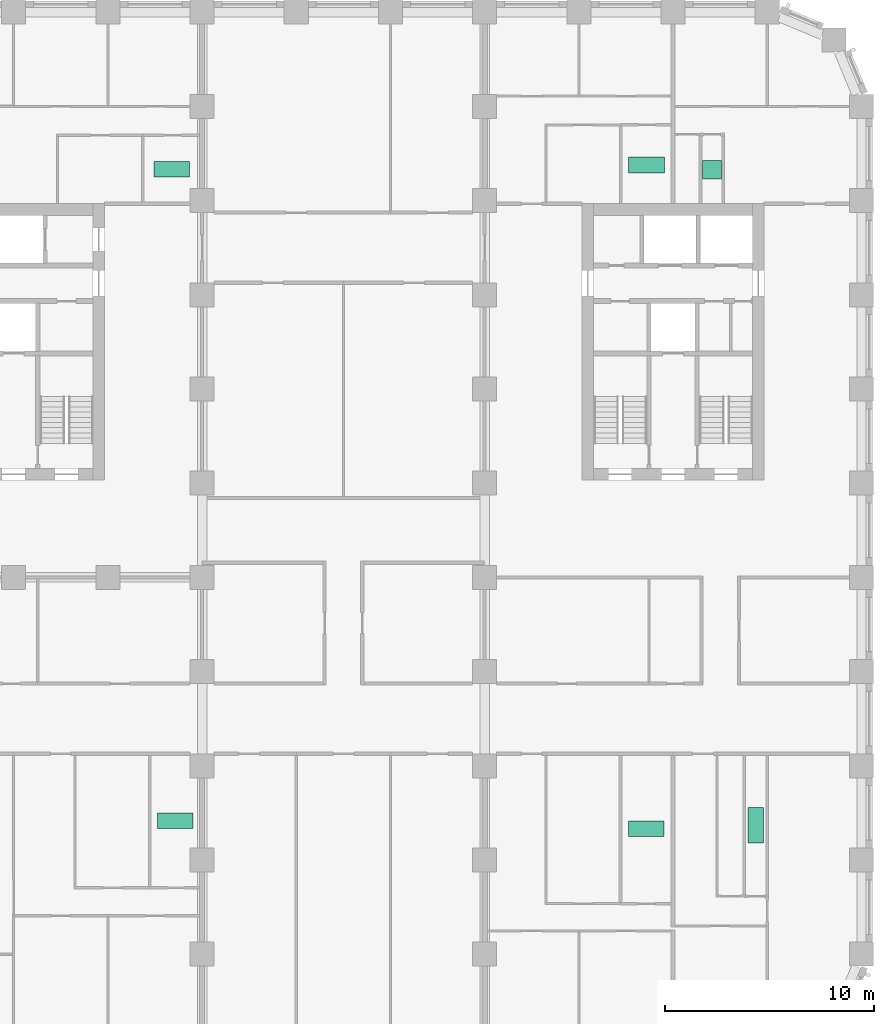
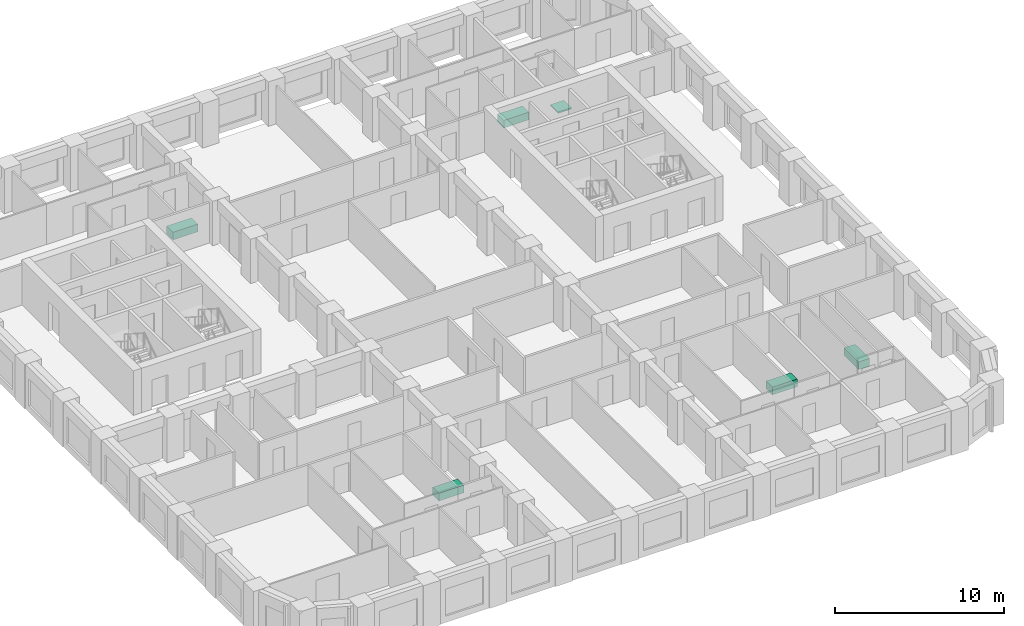
# One storey, part 12 of 12: 6 sanitary terminals.
"""IFC4 building model written with IfcOpenShell, lengths in metres."""

from ifc_helpers import new_model, si_unit, direction, frame, origin, origin_2d, place, context, subcontext, project, spatial, rectangle, extrude, material, type_object, element, save


model = new_model("IFC4")

# Units and contexts
model_context = context("Model", 3, precision=1e-05, world=origin(), true_north=direction((0.0, 1.0)))
body_context = subcontext(model_context, "Body", "Model", "MODEL_VIEW")
ifc_project = project(units=[si_unit("LENGTHUNIT", "METRE"), si_unit("AREAUNIT", "SQUARE_METRE"), si_unit("VOLUMEUNIT", "CUBIC_METRE"), si_unit("PLANEANGLEUNIT", "RADIAN"), si_unit("MASSUNIT", "GRAM", prefix="KILO")], contexts=[model_context])

# Site, building, storey
site_placement = place(None, origin())
site = spatial("IfcSite", under=ifc_project, at=site_placement, CompositionType="ELEMENT")
building_placement = place(site_placement, origin())
building = spatial("IfcBuilding", under=site, at=building_placement, Name="Girih Gate Residences", CompositionType="ELEMENT")
storey_placement = place(building_placement, frame((0.0, 0.0, 118.39990234375)))
storey = spatial("IfcBuildingStorey", under=building, at=storey_placement, Name="L33", CompositionType="ELEMENT", Elevation=118.39990234375)

# Sanitary terminals
ifc_material = material(Name="Acrylic")
sanitary_terminal_type_1 = type_object("IfcSanitaryTerminalType", Name="Bath 1700", PredefinedType="BATH", material=ifc_material)
for number, where, z_axis, x_axis, name in (
    (1, (16.718994140625, 10.868896484375, 0.0), (0.0, 0.0, 1.0), (1.0, 0.0, 0.0), "Bath 1700 L33"),
    (2, (16.555908203125, 41.990966796875, 0.0), (0.0, 0.0, 1.0), (1.0, 0.0, 0.0), "Bath 1700 L33"),
):
    element("IfcSanitaryTerminal", number, at=place(storey_placement, frame(where, z_axis=z_axis, x_axis=x_axis)), inside=storey, type_object=sanitary_terminal_type_1, Name=name, PredefinedType="BATH", context=body_context, shape_type="SweptSolid", body=[
        extrude(rectangle(XDim=1.699951171875, YDim=0.75, at=origin_2d()), origin(), (0.0, 0.0, 1.0), 0.550048828125),
    ])
sanitary_terminal_1_placement = place(storey_placement, frame((44.4541015625, 10.6689453125, 0.0), z_axis=(0.0, 0.0, 1.0), x_axis=(1.0, 0.0, 0.0)))
element("IfcSanitaryTerminal", 3, at=sanitary_terminal_1_placement, inside=storey, type_object=sanitary_terminal_type_1, Name="Bath 1700 L33", PredefinedType="BATH", context=body_context, shape_type="SweptSolid", body=[
    extrude(rectangle(XDim=0.75, YDim=1.699951171875, at=origin_2d()), origin(), (0.0, 0.0, 1.0), 0.550048828125),
])
for number, where, z_axis, x_axis, name in (
    (4, (39.22509765625, 10.489013671875, 0.0), (0.0, 0.0, 1.0), (1.0, 0.0, 0.0), "Bath 1700 L33"),
    (5, (39.23095703125, 42.200927734375, 0.0), (0.0, 0.0, 1.0), (1.0, 0.0, 0.0), "Bath 1700 L33"),
):
    element("IfcSanitaryTerminal", number, at=place(storey_placement, frame(where, z_axis=z_axis, x_axis=x_axis)), inside=storey, type_object=sanitary_terminal_type_1, Name=name, PredefinedType="BATH", context=body_context, shape_type="SweptSolid", body=[
        extrude(rectangle(XDim=1.699951171875, YDim=0.75, at=origin_2d()), origin(), (0.0, 0.0, 1.0), 0.550048828125),
    ])
sanitary_terminal_type_2 = type_object("IfcSanitaryTerminalType", Name="Shower tray 900", PredefinedType="SHOWER", material=ifc_material)
sanitary_terminal_2_placement = place(storey_placement, frame((42.35498046875, 41.97412109375, 0.0), z_axis=(0.0, 0.0, 1.0), x_axis=(1.0, 0.0, 0.0)))
element("IfcSanitaryTerminal", 6, at=sanitary_terminal_2_placement, inside=storey, type_object=sanitary_terminal_type_2, Name="Shower tray 900 L33", PredefinedType="SHOWER", context=body_context, shape_type="SweptSolid", body=[
    extrude(rectangle(XDim=0.89990234375, YDim=0.89990234375, at=origin_2d()), origin(), (0.0, 0.0, 1.0), 0.10009765625),
])

save(model, "model.ifc")
